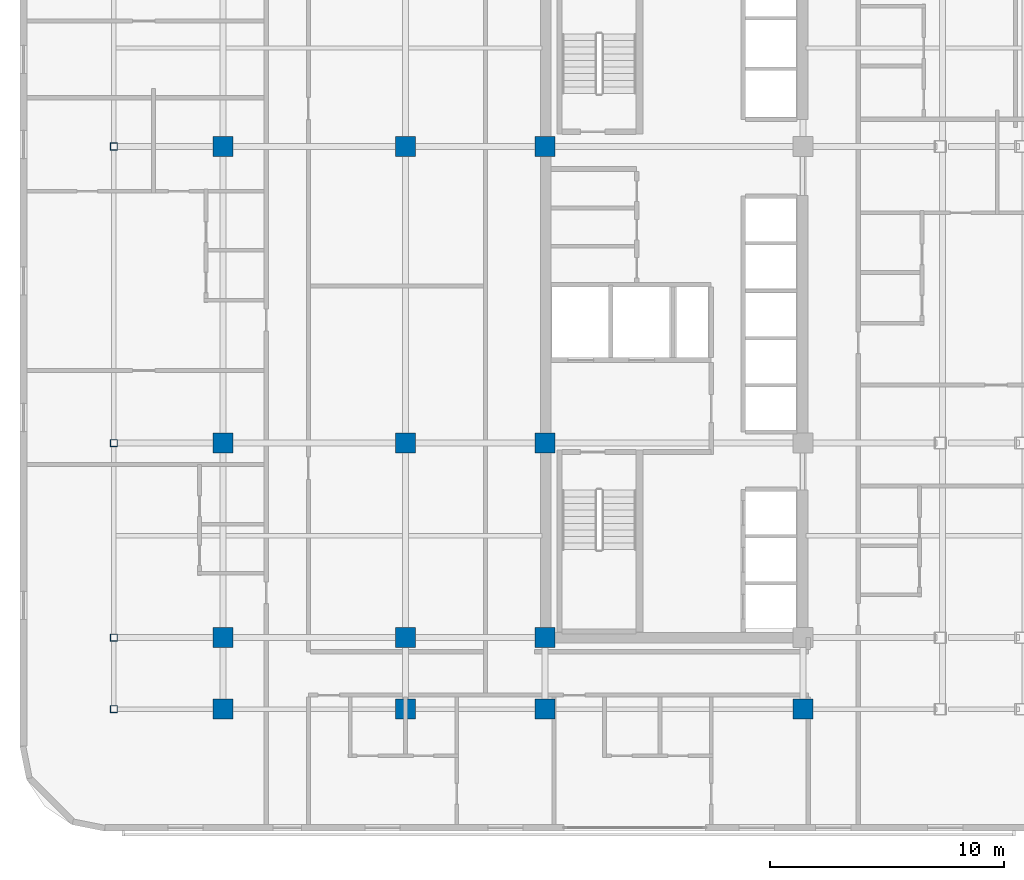
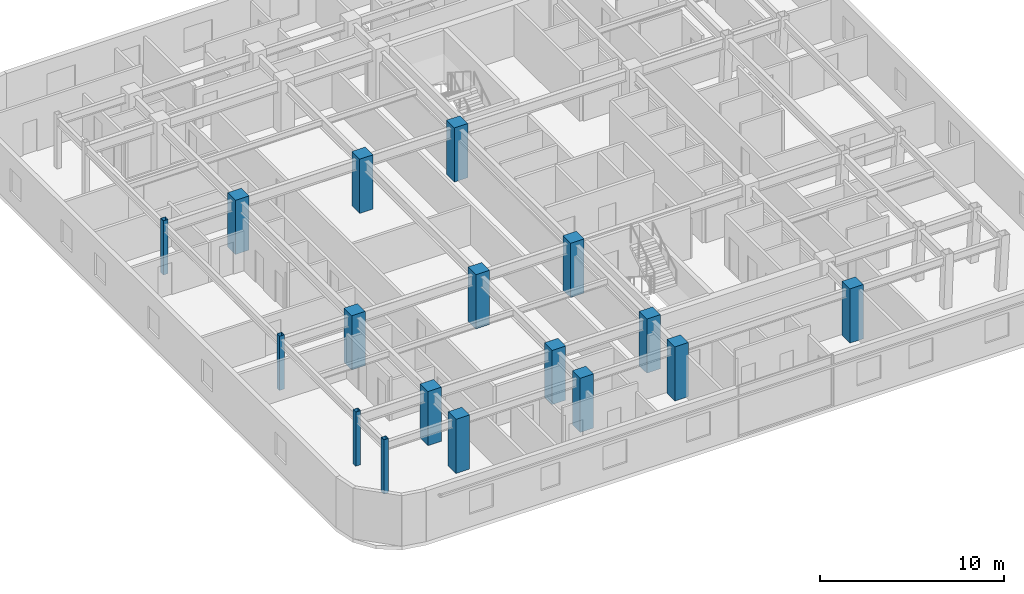
# One storey, part 1 of 15: 17 columns.
"""IFC4 building model written with IfcOpenShell, lengths in metres."""

import ifcopenshell
import ifcopenshell.guid

model = None  # the IFC model being written
_history = None  # IfcOwnerHistory: only IFC2X3 demands one
_inside = {}  # id of a spatial element -> (the spatial element, [elements in it])
_under = {}  # id of a project, library or spatial element -> (it, [spatial elements below it])
_declared = {}  # id of a project -> (the project, [libraries it declares])
_typed = {}  # id of a type object -> (the type object, [elements of that type])
_made_of = {}  # id of a material, layer set ... -> (it, [elements and type objects made of it])


def new_model(schema):
    """Start an empty IFC model of exactly this schema.

    Asked for "IFC4X3", IfcOpenShell would pick the latest addendum, in which some entities
    have other attributes; the version numbers below select the first issue.
    IFC2X3 requires an IfcOwnerHistory on every rooted entity: one is made here for all.
    """
    global model, _history
    if schema == "IFC4X3":
        model = ifcopenshell.file(schema_version=(4, 3, 0, 0))
    else:
        model = ifcopenshell.file(schema=schema)
    _inside.clear()
    _under.clear()
    _declared.clear()
    _typed.clear()
    _made_of.clear()
    _history = None
    if model.schema == "IFC2X3":
        org = make("IfcOrganization", Name="unknown")
        user = make(
            "IfcPersonAndOrganization",
            ThePerson=make("IfcPerson", FamilyName="unknown"),
            TheOrganization=org,
        )
        app = make(
            "IfcApplication",
            ApplicationDeveloper=org,
            Version="unknown",
            ApplicationFullName="unknown",
            ApplicationIdentifier="unknown",
        )
        _history = make(
            "IfcOwnerHistory",
            OwningUser=user,
            OwningApplication=app,
            ChangeAction="ADDED",
            CreationDate=0,
        )
    return model


def make(cls, **values):
    """One entity of the class cls with the attributes given. An attribute that is None is left unset."""
    return model.create_entity(
        cls, **{name: value for name, value in values.items() if value is not None}
    )


def rooted(cls, **values):
    """An entity with a GlobalId (a new one), such as an element, a storey or a relation."""
    return make(cls, GlobalId=ifcopenshell.guid.new(), OwnerHistory=_history, **values)


def si_unit(unit_type, name, prefix=None):
    """IfcSIUnit, for example si_unit("LENGTHUNIT", "METRE", prefix="MILLI")."""
    return make("IfcSIUnit", UnitType=unit_type, Prefix=prefix, Name=name)


def assignment(units):
    """IfcUnitAssignment: the units of a project."""
    return None if units is None else make("IfcUnitAssignment", Units=units)


def point(xyz):
    """IfcCartesianPoint."""
    return None if xyz is None else make("IfcCartesianPoint", Coordinates=xyz)


def direction(xyz):
    """IfcDirection."""
    return None if xyz is None else make("IfcDirection", DirectionRatios=xyz)


def frame(location, z_axis=None, x_axis=None):
    """IfcAxis2Placement3D, a coordinate frame: its origin and axes. An axis left out is left unset."""
    return make(
        "IfcAxis2Placement3D",
        Location=point(location),
        Axis=direction(z_axis),
        RefDirection=direction(x_axis),
    )


def frame_2d(location, x_axis=None):
    """IfcAxis2Placement2D, a coordinate frame in the plane: its origin and x axis."""
    return make(
        "IfcAxis2Placement2D", Location=point(location), RefDirection=direction(x_axis)
    )


def origin():
    """The frame at (0, 0, 0) with its axes left unset."""
    return frame((0.0, 0.0, 0.0))


def origin_2d():
    """The frame at (0, 0) in the plane with its x axis left unset."""
    return frame_2d((0.0, 0.0))


def place(relative_to, where):
    """IfcLocalPlacement: puts the frame where relative to a parent placement (None: the world)."""
    return make(
        "IfcLocalPlacement", PlacementRelTo=relative_to, RelativePlacement=where
    )


def context(
    kind, dimensions, precision=None, world=None, true_north=None, identifier=None
):
    """IfcGeometricRepresentationContext, for example the 3D "Model" context."""
    return make(
        "IfcGeometricRepresentationContext",
        ContextIdentifier=identifier,
        ContextType=kind,
        CoordinateSpaceDimension=dimensions,
        Precision=precision,
        WorldCoordinateSystem=world,
        TrueNorth=true_north,
    )


def subcontext(parent, identifier, kind, view, scale=None):
    """IfcGeometricRepresentationSubContext, for example "Body" below "Model"."""
    return make(
        "IfcGeometricRepresentationSubContext",
        ContextIdentifier=identifier,
        ContextType=kind,
        ParentContext=parent,
        TargetScale=scale,
        TargetView=view,
    )


def project(units=None, contexts=None):
    """IfcProject with its units and contexts."""
    return rooted(
        "IfcProject",
        Name="project",
        RepresentationContexts=contexts,
        UnitsInContext=assignment(units),
    )


def spatial(cls, under=None, at=None, **own):
    """A site, building, storey or space (cls), placed at a placement, below another one or the project."""
    s = rooted(cls, ObjectPlacement=at, **own)
    if under is not None:
        _under.setdefault(under.id(), (under, []))[1].append(s)
    return s


def profile(cls, at=None, kind="AREA", **sizes):
    """A parametric profile (cls). Its sizes go by their IFC names, for example OverallWidth=200.0."""
    return make(cls, ProfileType=kind, Position=at, **sizes)


def rectangle(**sizes):
    """IfcRectangleProfileDef."""
    return profile("IfcRectangleProfileDef", **sizes)


def hollow_rectangle(**sizes):
    """IfcRectangleHollowProfileDef."""
    return profile("IfcRectangleHollowProfileDef", **sizes)


def extrude(swept, where, along, depth):
    """IfcExtrudedAreaSolid: the profile swept, set in the frame where, extruded along a direction by depth."""
    return make(
        "IfcExtrudedAreaSolid",
        SweptArea=swept,
        Position=where,
        ExtrudedDirection=direction(along),
        Depth=depth,
    )


def shape(context_of_items, identifier, shape_type, items):
    """IfcShapeRepresentation: the items that make up one representation, for example the "Body"."""
    return make(
        "IfcShapeRepresentation",
        ContextOfItems=context_of_items,
        RepresentationIdentifier=identifier,
        RepresentationType=shape_type,
        Items=items,
    )


def material(Name=None, Category=None):
    """IfcMaterial."""
    return make("IfcMaterial", Name=Name, Category=Category)


def material_profile(
    of_material, cross_section, Name=None, Category=None, Priority=None
):
    """IfcMaterialProfile: a cross section and its material."""
    return make(
        "IfcMaterialProfile",
        Name=Name,
        Material=of_material,
        Profile=cross_section,
        Priority=Priority,
        Category=Category,
    )


def profile_set(profiles, Name=None, composite=None):
    """IfcMaterialProfileSet."""
    return make(
        "IfcMaterialProfileSet",
        Name=Name,
        MaterialProfiles=profiles,
        CompositeProfile=composite,
    )


def made_of(thing, what):
    """Note that an element or type object is made of a material, layer set ...; save() writes the relation."""
    if what is not None:
        _made_of.setdefault(what.id(), (what, []))[1].append(thing)
    return thing


def type_object(cls, material=None, **own):
    """A type object (cls), such as IfcWallType, which elements share."""
    return made_of(rooted(cls, **own), material)


def element(
    cls,
    number,
    at=None,
    inside=None,
    cuts=None,
    type_object=None,
    material=None,
    context=None,
    identifier="Body",
    shape_type=None,
    held_by="IfcProductDefinitionShape",
    body=None,
    shapes=None,
    **own,
):
    """One element of the class cls, such as IfcWall. Its Tag is "e" and its number.

    at: its placement. inside: the storey or other place that contains it. cuts: it is an
    opening in that element (IfcRelVoidsElement). A single representation is given by context,
    identifier, shape_type and body (its items); several are given by shapes. held_by: the class
    of the entity that holds the representations. save() writes the other relations.
    """
    e = rooted(cls, Tag="e%d" % number, ObjectPlacement=at, **own)
    if body is not None:
        shapes = [shape(context, identifier, shape_type, body)]
    if shapes is not None:
        e.Representation = make(held_by, Representations=shapes)
    if inside is not None:
        _inside.setdefault(inside.id(), (inside, []))[1].append(e)
    if cuts is not None:
        rooted(
            "IfcRelVoidsElement", RelatingBuildingElement=cuts, RelatedOpeningElement=e
        )
    if type_object is not None:
        _typed.setdefault(type_object.id(), (type_object, []))[1].append(e)
    return made_of(e, material)


def aggregate(whole, parts):
    """IfcRelAggregates: a whole, such as a stair, and the parts it consists of."""
    return rooted("IfcRelAggregates", RelatingObject=whole, RelatedObjects=parts)


def save(model, path):
    """Write the relations noted so far, then the file.

    IfcRelAggregates (storeys below a building ...), IfcRelContainedInSpatialStructure (elements
    in a storey), IfcRelDefinesByType, IfcRelAssociatesMaterial and IfcRelDeclares: one each for
    every whole, place, type object, material and project.
    """
    for whole, parts in _under.values():
        aggregate(whole, parts)
    for where, things in _inside.values():
        rooted(
            "IfcRelContainedInSpatialStructure",
            RelatedElements=things,
            RelatingStructure=where,
        )
    for kind, things in _typed.values():
        rooted("IfcRelDefinesByType", RelatedObjects=things, RelatingType=kind)
    for what, things in _made_of.values():
        rooted("IfcRelAssociatesMaterial", RelatedObjects=things, RelatingMaterial=what)
    for by, libraries in _declared.values():
        rooted("IfcRelDeclares", RelatingContext=by, RelatedDefinitions=libraries)
    model.write(path)


model = new_model("IFC4")

# Units and contexts
model_context = context("Model", 3, precision=1e-05, world=origin(), true_north=direction((0.0, 1.0)))
body_context = subcontext(model_context, "Body", "Model", "MODEL_VIEW")
ifc_project = project(units=[si_unit("LENGTHUNIT", "METRE"), si_unit("AREAUNIT", "SQUARE_METRE"), si_unit("VOLUMEUNIT", "CUBIC_METRE"), si_unit("PLANEANGLEUNIT", "RADIAN"), si_unit("MASSUNIT", "GRAM", prefix="KILO")], contexts=[model_context])

# Site, building, storey
site_placement = place(None, origin())
site = spatial("IfcSite", under=ifc_project, at=site_placement, CompositionType="ELEMENT")
building_placement = place(site_placement, origin())
building = spatial("IfcBuilding", under=site, at=building_placement, Name="Ochreholt Gables", CompositionType="ELEMENT")
storey_placement = place(building_placement, frame((0.0, 0.0, 31.199951171875)))
storey = spatial("IfcBuildingStorey", under=building, at=storey_placement, Name="L07", CompositionType="ELEMENT", Elevation=31.199951171875)

# Columns
ifc_material_1 = material(Name="Steel CSA G40.21 350W", Category="steel")
ifc_material_profile_1 = material_profile(ifc_material_1, hollow_rectangle(XDim=0.304931640625, YDim=0.304931640625, WallThickness=0.0126953125, at=origin_2d()), Name="HSS305X305X13")
ifc_profile_set_1 = profile_set([ifc_material_profile_1], Name="Steel CSA G40.21 350W")
column_type_1 = type_object("IfcColumnType", Name="COL-HSS305-EXT", PredefinedType="COLUMN", material=ifc_profile_set_1)
for number, where, z_axis, x_axis, name in (
    (1, (5.800048828125, 6.199951171875, 0.0), (0.0, 0.0, 1.0), (1.0, 0.0, 0.0), "L07 Column WTY1"),
    (2, (5.800048828125, 9.25, 0.0), (0.0, 0.0, 1.0), (1.0, 0.0, 0.0), "L07 Column WTY2"),
    (3, (5.800048828125, 17.550048828125, 0.0), (0.0, 0.0, 1.0), (1.0, 0.0, 0.0), "L07 Column WTY3"),
    (4, (5.800048828125, 30.199951171875, 0.0), (0.0, 0.0, 1.0), (1.0, 0.0, 0.0), "L07 Column WTY4"),
):
    element("IfcColumn", number, at=place(storey_placement, frame(where, z_axis=z_axis, x_axis=x_axis)), inside=storey, type_object=column_type_1, Name=name, PredefinedType="COLUMN", context=body_context, shape_type="SweptSolid", body=[
        extrude(hollow_rectangle(XDim=0.304931640625, YDim=0.304931640625, WallThickness=0.0126953125, at=origin_2d()), origin(), (0.0, 0.0, 1.0), 3.60009765625),
    ])
ifc_material_2 = material(Name="Concrete 60 MPa", Category="concrete")
ifc_material_profile_2 = material_profile(ifc_material_2, rectangle(XDim=0.85009765625, YDim=0.85009765625, at=origin_2d()), Name="RC850X850")
ifc_profile_set_2 = profile_set([ifc_material_profile_2], Name="Concrete 60 MPa")
column_type_2 = type_object("IfcColumnType", Name="COL-RC850-EXT", PredefinedType="COLUMN", material=ifc_profile_set_2)
for number, where, z_axis, x_axis, name in (
    (5, (10.449951171875, 6.199951171875, 0.0), (0.0, 0.0, 1.0), (1.0, 0.0, 0.0), "L07 Column W2Y1"),
    (6, (18.25, 6.199951171875, 0.0), (0.0, 0.0, 1.0), (1.0, 0.0, 0.0), "L07 Column W3Y1"),
    (7, (24.199951171875, 6.199951171875, 0.0), (0.0, 0.0, 1.0), (1.0, 0.0, 0.0), "L07 Column C1Y1"),
    (8, (35.199951171875, 6.199951171875, 0.0), (0.0, 0.0, 1.0), (1.0, 0.0, 0.0), "L07 Column C2Y1"),
):
    element("IfcColumn", number, at=place(storey_placement, frame(where, z_axis=z_axis, x_axis=x_axis)), inside=storey, type_object=column_type_2, Name=name, PredefinedType="COLUMN", context=body_context, shape_type="SweptSolid", body=[
        extrude(rectangle(XDim=0.85009765625, YDim=0.85009765625, at=origin_2d()), origin(), (0.0, 0.0, 1.0), 3.60009765625),
    ])
ifc_material_profile_3 = material_profile(ifc_material_2, rectangle(XDim=0.85009765625, YDim=0.85009765625, at=origin_2d()), Name="RC850X850")
ifc_profile_set_3 = profile_set([ifc_material_profile_3], Name="Concrete 60 MPa")
column_type_3 = type_object("IfcColumnType", Name="COL-RC850-INT", PredefinedType="COLUMN", material=ifc_profile_set_3)
for number, where, z_axis, x_axis, name in (
    (9, (10.449951171875, 9.25, 0.0), (0.0, 0.0, 1.0), (1.0, 0.0, 0.0), "L07 Column W2Y2"),
    (10, (10.449951171875, 17.550048828125, 0.0), (0.0, 0.0, 1.0), (1.0, 0.0, 0.0), "L07 Column W2Y3"),
    (11, (10.449951171875, 30.199951171875, 0.0), (0.0, 0.0, 1.0), (1.0, 0.0, 0.0), "L07 Column W2Y4"),
    (12, (18.25, 9.25, 0.0), (0.0, 0.0, 1.0), (1.0, 0.0, 0.0), "L07 Column W3Y2"),
    (13, (18.25, 17.550048828125, 0.0), (0.0, 0.0, 1.0), (1.0, 0.0, 0.0), "L07 Column W3Y3"),
    (14, (18.25, 30.199951171875, 0.0), (0.0, 0.0, 1.0), (1.0, 0.0, 0.0), "L07 Column W3Y4"),
    (15, (24.199951171875, 9.25, 0.0), (0.0, 0.0, 1.0), (1.0, 0.0, 0.0), "L07 Column C1Y2"),
    (16, (24.199951171875, 17.550048828125, 0.0), (0.0, 0.0, 1.0), (1.0, 0.0, 0.0), "L07 Column C1Y3"),
    (17, (24.199951171875, 30.199951171875, 0.0), (0.0, 0.0, 1.0), (1.0, 0.0, 0.0), "L07 Column C1Y4"),
):
    element("IfcColumn", number, at=place(storey_placement, frame(where, z_axis=z_axis, x_axis=x_axis)), inside=storey, type_object=column_type_3, Name=name, PredefinedType="COLUMN", context=body_context, shape_type="SweptSolid", body=[
        extrude(rectangle(XDim=0.85009765625, YDim=0.85009765625, at=origin_2d()), origin(), (0.0, 0.0, 1.0), 3.60009765625),
    ])

save(model, "model.ifc")
